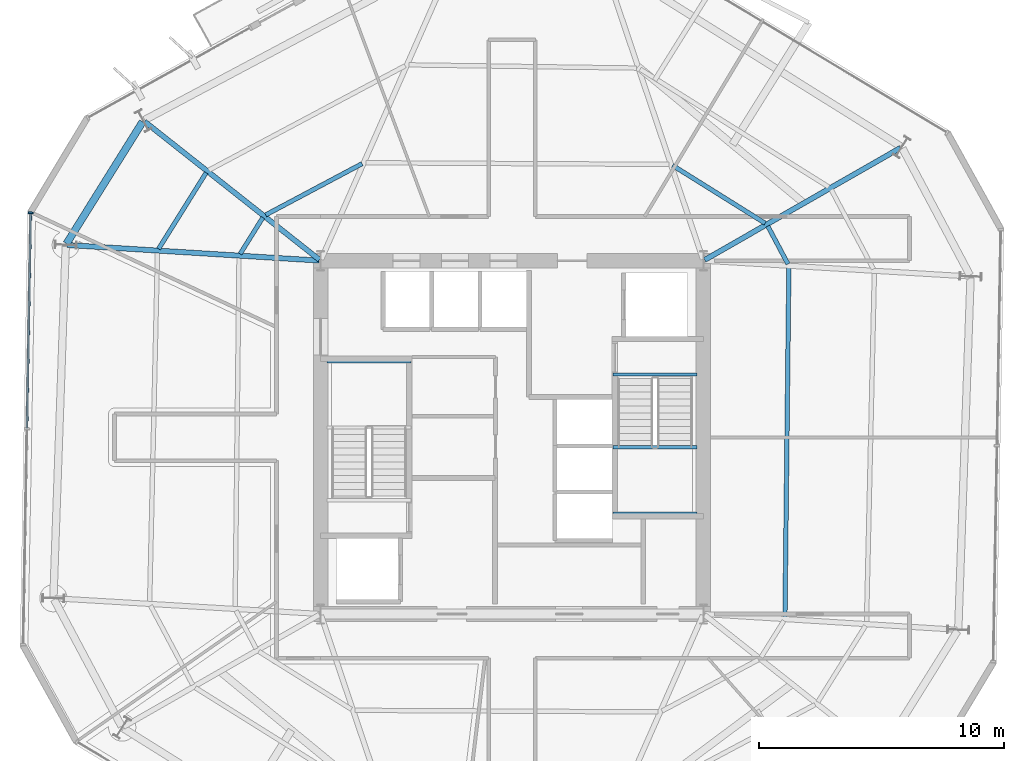
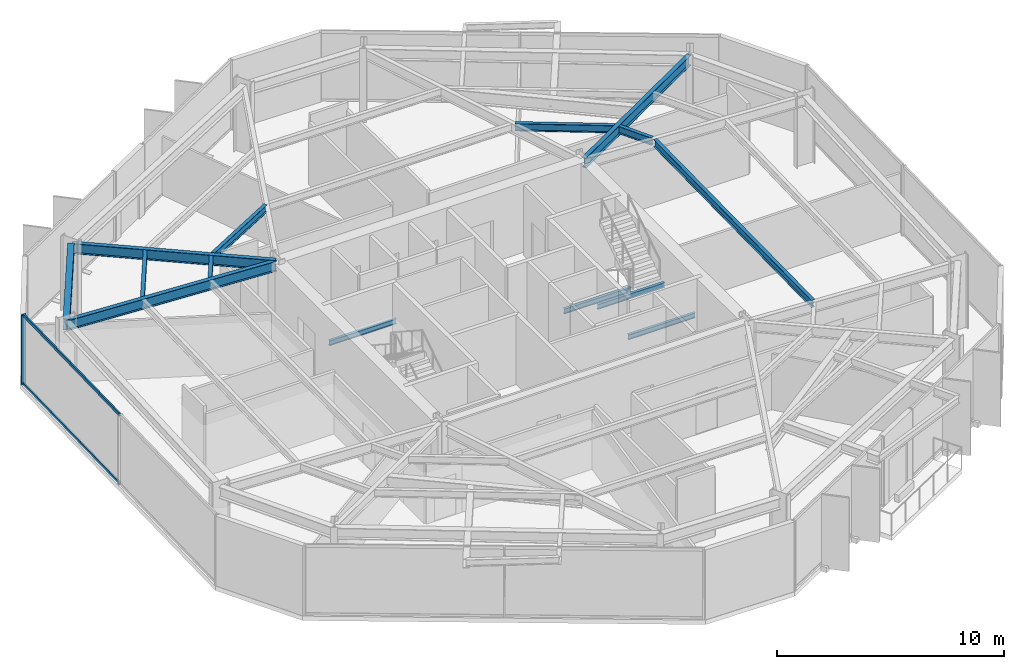
# One storey, part 3 of 11: 14 beams, 3 members, 1 element without a shape of its own.
"""IFC4 building model written with IfcOpenShell, lengths in metres."""

import ifcopenshell
import ifcopenshell.guid

model = None  # the IFC model being written
_history = None  # IfcOwnerHistory: only IFC2X3 demands one
_inside = {}  # id of a spatial element -> (the spatial element, [elements in it])
_under = {}  # id of a project, library or spatial element -> (it, [spatial elements below it])
_declared = {}  # id of a project -> (the project, [libraries it declares])
_typed = {}  # id of a type object -> (the type object, [elements of that type])
_made_of = {}  # id of a material, layer set ... -> (it, [elements and type objects made of it])


def new_model(schema):
    """Start an empty IFC model of exactly this schema.

    Asked for "IFC4X3", IfcOpenShell would pick the latest addendum, in which some entities
    have other attributes; the version numbers below select the first issue.
    IFC2X3 requires an IfcOwnerHistory on every rooted entity: one is made here for all.
    """
    global model, _history
    if schema == "IFC4X3":
        model = ifcopenshell.file(schema_version=(4, 3, 0, 0))
    else:
        model = ifcopenshell.file(schema=schema)
    _inside.clear()
    _under.clear()
    _declared.clear()
    _typed.clear()
    _made_of.clear()
    _history = None
    if model.schema == "IFC2X3":
        org = make("IfcOrganization", Name="unknown")
        user = make(
            "IfcPersonAndOrganization",
            ThePerson=make("IfcPerson", FamilyName="unknown"),
            TheOrganization=org,
        )
        app = make(
            "IfcApplication",
            ApplicationDeveloper=org,
            Version="unknown",
            ApplicationFullName="unknown",
            ApplicationIdentifier="unknown",
        )
        _history = make(
            "IfcOwnerHistory",
            OwningUser=user,
            OwningApplication=app,
            ChangeAction="ADDED",
            CreationDate=0,
        )
    return model


def make(cls, **values):
    """One entity of the class cls with the attributes given. An attribute that is None is left unset."""
    return model.create_entity(
        cls, **{name: value for name, value in values.items() if value is not None}
    )


def rooted(cls, **values):
    """An entity with a GlobalId (a new one), such as an element, a storey or a relation."""
    return make(cls, GlobalId=ifcopenshell.guid.new(), OwnerHistory=_history, **values)


def si_unit(unit_type, name, prefix=None):
    """IfcSIUnit, for example si_unit("LENGTHUNIT", "METRE", prefix="MILLI")."""
    return make("IfcSIUnit", UnitType=unit_type, Prefix=prefix, Name=name)


def assignment(units):
    """IfcUnitAssignment: the units of a project."""
    return None if units is None else make("IfcUnitAssignment", Units=units)


def point(xyz):
    """IfcCartesianPoint."""
    return None if xyz is None else make("IfcCartesianPoint", Coordinates=xyz)


def direction(xyz):
    """IfcDirection."""
    return None if xyz is None else make("IfcDirection", DirectionRatios=xyz)


def frame(location, z_axis=None, x_axis=None):
    """IfcAxis2Placement3D, a coordinate frame: its origin and axes. An axis left out is left unset."""
    return make(
        "IfcAxis2Placement3D",
        Location=point(location),
        Axis=direction(z_axis),
        RefDirection=direction(x_axis),
    )


def frame_2d(location, x_axis=None):
    """IfcAxis2Placement2D, a coordinate frame in the plane: its origin and x axis."""
    return make(
        "IfcAxis2Placement2D", Location=point(location), RefDirection=direction(x_axis)
    )


def origin():
    """The frame at (0, 0, 0) with its axes left unset."""
    return frame((0.0, 0.0, 0.0))


def origin_2d():
    """The frame at (0, 0) in the plane with its x axis left unset."""
    return frame_2d((0.0, 0.0))


def place(relative_to, where):
    """IfcLocalPlacement: puts the frame where relative to a parent placement (None: the world)."""
    return make(
        "IfcLocalPlacement", PlacementRelTo=relative_to, RelativePlacement=where
    )


def context(
    kind, dimensions, precision=None, world=None, true_north=None, identifier=None
):
    """IfcGeometricRepresentationContext, for example the 3D "Model" context."""
    return make(
        "IfcGeometricRepresentationContext",
        ContextIdentifier=identifier,
        ContextType=kind,
        CoordinateSpaceDimension=dimensions,
        Precision=precision,
        WorldCoordinateSystem=world,
        TrueNorth=true_north,
    )


def subcontext(parent, identifier, kind, view, scale=None):
    """IfcGeometricRepresentationSubContext, for example "Body" below "Model"."""
    return make(
        "IfcGeometricRepresentationSubContext",
        ContextIdentifier=identifier,
        ContextType=kind,
        ParentContext=parent,
        TargetScale=scale,
        TargetView=view,
    )


def project(units=None, contexts=None):
    """IfcProject with its units and contexts."""
    return rooted(
        "IfcProject",
        Name="project",
        RepresentationContexts=contexts,
        UnitsInContext=assignment(units),
    )


def spatial(cls, under=None, at=None, **own):
    """A site, building, storey or space (cls), placed at a placement, below another one or the project."""
    s = rooted(cls, ObjectPlacement=at, **own)
    if under is not None:
        _under.setdefault(under.id(), (under, []))[1].append(s)
    return s


def profile(cls, at=None, kind="AREA", **sizes):
    """A parametric profile (cls). Its sizes go by their IFC names, for example OverallWidth=200.0."""
    return make(cls, ProfileType=kind, Position=at, **sizes)


def rectangle(**sizes):
    """IfcRectangleProfileDef."""
    return profile("IfcRectangleProfileDef", **sizes)


def i_section(**sizes):
    """IfcIShapeProfileDef."""
    return profile("IfcIShapeProfileDef", **sizes)


def extrude(swept, where, along, depth):
    """IfcExtrudedAreaSolid: the profile swept, set in the frame where, extruded along a direction by depth."""
    return make(
        "IfcExtrudedAreaSolid",
        SweptArea=swept,
        Position=where,
        ExtrudedDirection=direction(along),
        Depth=depth,
    )


def shape(context_of_items, identifier, shape_type, items):
    """IfcShapeRepresentation: the items that make up one representation, for example the "Body"."""
    return make(
        "IfcShapeRepresentation",
        ContextOfItems=context_of_items,
        RepresentationIdentifier=identifier,
        RepresentationType=shape_type,
        Items=items,
    )


def material(Name=None, Category=None):
    """IfcMaterial."""
    return make("IfcMaterial", Name=Name, Category=Category)


def layer(
    of_material, thickness, ventilated=None, Name=None, Category=None, Priority=None
):
    """IfcMaterialLayer: one layer of a wall or slab, of a material (None: an air gap)."""
    return make(
        "IfcMaterialLayer",
        Material=of_material,
        LayerThickness=thickness,
        IsVentilated=ventilated,
        Name=Name,
        Category=Category,
        Priority=Priority,
    )


def layer_set(layers, Name=None):
    """IfcMaterialLayerSet."""
    return make("IfcMaterialLayerSet", MaterialLayers=layers, LayerSetName=Name)


def material_profile(
    of_material, cross_section, Name=None, Category=None, Priority=None
):
    """IfcMaterialProfile: a cross section and its material."""
    return make(
        "IfcMaterialProfile",
        Name=Name,
        Material=of_material,
        Profile=cross_section,
        Priority=Priority,
        Category=Category,
    )


def profile_set(profiles, Name=None, composite=None):
    """IfcMaterialProfileSet."""
    return make(
        "IfcMaterialProfileSet",
        Name=Name,
        MaterialProfiles=profiles,
        CompositeProfile=composite,
    )


def made_of(thing, what):
    """Note that an element or type object is made of a material, layer set ...; save() writes the relation."""
    if what is not None:
        _made_of.setdefault(what.id(), (what, []))[1].append(thing)
    return thing


def type_object(cls, material=None, **own):
    """A type object (cls), such as IfcWallType, which elements share."""
    return made_of(rooted(cls, **own), material)


def element(
    cls,
    number,
    at=None,
    inside=None,
    cuts=None,
    type_object=None,
    material=None,
    context=None,
    identifier="Body",
    shape_type=None,
    held_by="IfcProductDefinitionShape",
    body=None,
    shapes=None,
    **own,
):
    """One element of the class cls, such as IfcWall. Its Tag is "e" and its number.

    at: its placement. inside: the storey or other place that contains it. cuts: it is an
    opening in that element (IfcRelVoidsElement). A single representation is given by context,
    identifier, shape_type and body (its items); several are given by shapes. held_by: the class
    of the entity that holds the representations. save() writes the other relations.
    """
    e = rooted(cls, Tag="e%d" % number, ObjectPlacement=at, **own)
    if body is not None:
        shapes = [shape(context, identifier, shape_type, body)]
    if shapes is not None:
        e.Representation = make(held_by, Representations=shapes)
    if inside is not None:
        _inside.setdefault(inside.id(), (inside, []))[1].append(e)
    if cuts is not None:
        rooted(
            "IfcRelVoidsElement", RelatingBuildingElement=cuts, RelatedOpeningElement=e
        )
    if type_object is not None:
        _typed.setdefault(type_object.id(), (type_object, []))[1].append(e)
    return made_of(e, material)


def aggregate(whole, parts):
    """IfcRelAggregates: a whole, such as a stair, and the parts it consists of."""
    return rooted("IfcRelAggregates", RelatingObject=whole, RelatedObjects=parts)


def save(model, path):
    """Write the relations noted so far, then the file.

    IfcRelAggregates (storeys below a building ...), IfcRelContainedInSpatialStructure (elements
    in a storey), IfcRelDefinesByType, IfcRelAssociatesMaterial and IfcRelDeclares: one each for
    every whole, place, type object, material and project.
    """
    for whole, parts in _under.values():
        aggregate(whole, parts)
    for where, things in _inside.values():
        rooted(
            "IfcRelContainedInSpatialStructure",
            RelatedElements=things,
            RelatingStructure=where,
        )
    for kind, things in _typed.values():
        rooted("IfcRelDefinesByType", RelatedObjects=things, RelatingType=kind)
    for what, things in _made_of.values():
        rooted("IfcRelAssociatesMaterial", RelatedObjects=things, RelatingMaterial=what)
    for by, libraries in _declared.values():
        rooted("IfcRelDeclares", RelatingContext=by, RelatedDefinitions=libraries)
    model.write(path)


model = new_model("IFC4")

# Units and contexts
model_context = context("Model", 3, precision=1e-05, world=origin(), true_north=direction((0.0, 1.0)))
body_context = subcontext(model_context, "Body", "Model", "MODEL_VIEW")
ifc_project = project(units=[si_unit("LENGTHUNIT", "METRE"), si_unit("AREAUNIT", "SQUARE_METRE"), si_unit("VOLUMEUNIT", "CUBIC_METRE"), si_unit("PLANEANGLEUNIT", "RADIAN"), si_unit("MASSUNIT", "GRAM", prefix="KILO")], contexts=[model_context])

# Site, building, storey
site_placement = place(None, origin())
site = spatial("IfcSite", under=ifc_project, at=site_placement, CompositionType="ELEMENT")
building_placement = place(site_placement, origin())
building = spatial("IfcBuilding", under=site, at=building_placement, Name="Kranzbogen Civic Tower", CompositionType="ELEMENT")
storey_placement = place(building_placement, frame((0.0, 0.0, 138.39990234375)))
storey = spatial("IfcBuildingStorey", under=building, at=storey_placement, Name="L33", CompositionType="ELEMENT", Elevation=138.39990234375)

# Curtain wall, members
ifc_material_1 = material(Name="Pale Anodised Aluminium", Category="aluminium")
ifc_layer = layer(ifc_material_1, 0.219970703125, Name="Pale Anodised Aluminium")
ifc_layer_set = layer_set([ifc_layer], Name="Pale Anodised Aluminium")
curtain_wall_type = type_object("IfcCurtainWallType", Name="Zone 2 Stick Curtain Wall System CW-03", PredefinedType="USERDEFINED", material=ifc_layer_set)
curtain_wall_placement = place(storey_placement, origin())
curtain_wall = element("IfcCurtainWall", 1, at=curtain_wall_placement, inside=storey, type_object=curtain_wall_type, Name="L33 curtain wall CW-L33-F3", ObjectType="STICK CURTAIN WALL", PredefinedType="USERDEFINED")
ifc_material_profile_1 = material_profile(ifc_material_1, rectangle(XDim=0.074951171875, YDim=0.219970703125, at=origin_2d()), Name="ALU-M 75x220")
ifc_profile_set_1 = profile_set([ifc_material_profile_1], Name="Pale Anodised Aluminium")
member_type_1 = type_object("IfcMemberType", Name="Curtain Wall Mullion ALU-M 75x220", PredefinedType="MULLION", material=ifc_profile_set_1)
member_1_placement = place(storey_placement, frame((5.384521484375, 34.14794921875, 0.0), z_axis=(0.0, 0.0, 1.0), x_axis=(-0.017431971008, -0.999848051649, 0.0)))
member_1 = element("IfcMember", 2, at=member_1_placement, type_object=member_type_1, Name="CW-03 mullion 1", PredefinedType="MULLION", context=body_context, shape_type="SweptSolid", body=[
    extrude(rectangle(XDim=0.074951171875, YDim=0.219970703125, at=origin_2d()), origin(), (0.0, 0.0, 1.0), 3.760009765625),
])
ifc_material_profile_2 = material_profile(ifc_material_1, rectangle(XDim=0.074951171875, YDim=0.1650390625, at=origin_2d()), Name="ALU-T 75x165")
ifc_profile_set_2 = profile_set([ifc_material_profile_2], Name="Pale Anodised Aluminium")
member_type_2 = type_object("IfcMemberType", Name="Curtain Wall Transom ALU-T 75x165", PredefinedType="USERDEFINED", material=ifc_profile_set_2)
member_2_placement = place(storey_placement, frame((5.384033203125, 34.117919921875, 0.030029296875), z_axis=(-0.017450080558, -0.999847735752, 0.0), x_axis=(0.999847735752, -0.017450080558, 0.0)))
member_2 = element("IfcMember", 3, at=member_2_placement, type_object=member_type_2, Name="CW-03 transom 1.1", ObjectType="TRANSOM", PredefinedType="USERDEFINED", context=body_context, shape_type="SweptSolid", body=[
    extrude(rectangle(XDim=0.074951171875, YDim=0.1650390625, at=origin_2d()), origin(), (0.0, 0.0, 1.0), 8.744140625),
])
member_3_placement = place(storey_placement, frame((5.384033203125, 34.117919921875, 3.72998046875), z_axis=(-0.017450080558, -0.999847735752, 0.0), x_axis=(0.999847735752, -0.017450080558, 0.0)))
member_3 = element("IfcMember", 4, at=member_3_placement, type_object=member_type_2, Name="CW-03 transom 1.2", ObjectType="TRANSOM", PredefinedType="USERDEFINED", context=body_context, shape_type="SweptSolid", body=[
    extrude(rectangle(XDim=0.074951171875, YDim=0.1650390625, at=origin_2d()), origin(), (0.0, 0.0, 1.0), 8.744140625),
])
aggregate(curtain_wall, [member_1, member_2, member_3])

# Beams
ifc_material_2 = material(Name="Steel S355", Category="steel")
ifc_material_profile_3 = material_profile(ifc_material_2, i_section(OverallWidth=0.300048828125, OverallDepth=0.60009765625, WebThickness=0.015380859375, FlangeThickness=0.030029296875, at=origin_2d()), Name="HEB 600")
ifc_profile_set_3 = profile_set([ifc_material_profile_3], Name="Steel S355")
beam_type_1 = type_object("IfcBeamType", Name="Perimeter Tube Spandrel Beam HEB 600", PredefinedType="SPANDREL", material=ifc_profile_set_3)
beam_1_placement = place(storey_placement, frame((9.945068359375, 37.85693359375, 3.460205078125), z_axis=(-0.529863902903, -0.848082687242, 0.0), x_axis=(0.848082687242, -0.529863902903, 0.0)))
element("IfcBeam", 5, at=beam_1_placement, inside=storey, type_object=beam_type_1, Name="L33 perimeter spandrel beam 11", PredefinedType="SPANDREL", context=body_context, shape_type="SweptSolid", body=[
    extrude(i_section(OverallWidth=0.300048828125, OverallDepth=0.60009765625, WebThickness=0.015380859375, FlangeThickness=0.030029296875, at=origin_2d()), origin(), (0.0, 0.0, 1.0), 5.850830078125),
])
ifc_material_profile_4 = material_profile(ifc_material_2, i_section(OverallWidth=0.2099609375, OverallDepth=0.550048828125, WebThickness=0.010986328125, FlangeThickness=0.01708984375, at=origin_2d()), Name="IPE 550")
ifc_profile_set_4 = profile_set([ifc_material_profile_4], Name="Steel S355")
beam_type_2 = type_object("IfcBeamType", Name="Radial Tower Floor Girder IPE 550", PredefinedType="BEAM", material=ifc_profile_set_4)
beam_2_placement = place(storey_placement, frame((40.833984375, 36.799072265625, 3.485107421875), z_axis=(-0.867868812182, -0.496793442833, 0.0), x_axis=(0.496793442833, -0.867868812182, 0.0)))
element("IfcBeam", 6, at=beam_2_placement, inside=storey, type_object=beam_type_2, Name="L33 radial floor girder 08", PredefinedType="BEAM", context=body_context, shape_type="SweptSolid", body=[
    extrude(i_section(OverallWidth=0.2099609375, OverallDepth=0.550048828125, WebThickness=0.010986328125, FlangeThickness=0.01708984375, at=origin_2d()), origin(), (0.0, 0.0, 1.0), 9.197265625),
])
beam_3_placement = place(storey_placement, frame((10.02392578125, 37.87109375, 3.485107421875), z_axis=(0.78457455683, -0.620034486763, 0.0), x_axis=(0.620034486763, 0.78457455683, 0.0)))
element("IfcBeam", 7, at=beam_3_placement, inside=storey, type_object=beam_type_2, Name="L33 radial floor girder 11", PredefinedType="BEAM", context=body_context, shape_type="SweptSolid", body=[
    extrude(i_section(OverallWidth=0.2099609375, OverallDepth=0.550048828125, WebThickness=0.010986328125, FlangeThickness=0.01708984375, at=origin_2d()), origin(), (0.0, 0.0, 1.0), 9.086669921875),
])
beam_4_placement = place(storey_placement, frame((6.873046875, 32.840087890625, 3.485107421875), z_axis=(0.998086872961, -0.061827130147, 0.0), x_axis=(0.061827130147, 0.998086872961, 0.0)))
element("IfcBeam", 8, at=beam_4_placement, inside=storey, type_object=beam_type_2, Name="L33 radial floor girder 12", PredefinedType="BEAM", context=body_context, shape_type="SweptSolid", body=[
    extrude(i_section(OverallWidth=0.2099609375, OverallDepth=0.550048828125, WebThickness=0.010986328125, FlangeThickness=0.01708984375, at=origin_2d()), origin(), (0.0, 0.0, 1.0), 10.28662109375),
])
ifc_material_profile_5 = material_profile(ifc_material_2, i_section(OverallWidth=0.179931640625, OverallDepth=0.39990234375, WebThickness=0.008544921875, FlangeThickness=0.013427734375, at=origin_2d()), Name="IPE 400")
ifc_profile_set_5 = profile_set([ifc_material_profile_5], Name="Steel S355")
beam_type_3 = type_object("IfcBeamType", Name="Secondary Composite Floor Joist IPE 400", PredefinedType="JOIST", material=ifc_profile_set_5)
beam_5_placement = place(storey_placement, frame((36.125, 17.674072265625, 3.56005859375), z_axis=(0.011160516663, 0.999937719494, 0.0), x_axis=(-0.999937719494, 0.011160516663, 0.0)))
element("IfcBeam", 9, at=beam_5_placement, inside=storey, type_object=beam_type_3, Name="L33 secondary floor joist 2.06", PredefinedType="JOIST", context=body_context, shape_type="SweptSolid", body=[
    extrude(i_section(OverallWidth=0.179931640625, OverallDepth=0.39990234375, WebThickness=0.008544921875, FlangeThickness=0.013427734375, at=origin_2d()), origin(), (0.0, 0.0, 1.0), 14.240966796875),
])
beam_6_placement = place(storey_placement, frame((36.2470703125, 32.06494140625, 3.56005859375), z_axis=(-0.46943723363, 0.882965845139, 0.0), x_axis=(-0.882965845139, -0.46943723363, 0.0)))
element("IfcBeam", 10, at=beam_6_placement, inside=storey, type_object=beam_type_3, Name="L33 secondary floor joist 2.07", PredefinedType="JOIST", context=body_context, shape_type="SweptSolid", body=[
    extrude(i_section(OverallWidth=0.179931640625, OverallDepth=0.39990234375, WebThickness=0.008544921875, FlangeThickness=0.013427734375, at=origin_2d()), origin(), (0.0, 0.0, 1.0), 1.7509765625),
])
beam_7_placement = place(storey_placement, frame((35.320068359375, 33.72412109375, 3.56005859375), z_axis=(-0.848093834398, 0.529846060716, 0.0), x_axis=(-0.529846060716, -0.848093834398, 0.0)))
element("IfcBeam", 11, at=beam_7_placement, inside=storey, type_object=beam_type_3, Name="L33 secondary floor joist 2.08", PredefinedType="JOIST", context=body_context, shape_type="SweptSolid", body=[
    extrude(i_section(OverallWidth=0.179931640625, OverallDepth=0.39990234375, WebThickness=0.008544921875, FlangeThickness=0.013427734375, at=origin_2d()), origin(), (0.0, 0.0, 1.0), 4.4501953125),
])
beam_8_placement = place(storey_placement, frame((18.888916015625, 36.153076171875, 3.56005859375), z_axis=(-0.882991399158, -0.469389165844, 0.0), x_axis=(0.469389165844, -0.882991399158, 0.0)))
element("IfcBeam", 12, at=beam_8_placement, inside=storey, type_object=beam_type_3, Name="L33 secondary floor joist 2.10", PredefinedType="JOIST", context=body_context, shape_type="SweptSolid", body=[
    extrude(i_section(OverallWidth=0.179931640625, OverallDepth=0.39990234375, WebThickness=0.008544921875, FlangeThickness=0.013427734375, at=origin_2d()), origin(), (0.0, 0.0, 1.0), 4.45068359375),
])
beam_9_placement = place(storey_placement, frame((12.534912109375, 35.784912109375, 3.56005859375), z_axis=(-0.529867065107, -0.848080711557, 0.0), x_axis=(0.848080711557, -0.529867065107, 0.0)))
element("IfcBeam", 13, at=beam_9_placement, inside=storey, type_object=beam_type_3, Name="L33 secondary floor joist 1.11", PredefinedType="JOIST", context=body_context, shape_type="SweptSolid", body=[
    extrude(i_section(OverallWidth=0.179931640625, OverallDepth=0.39990234375, WebThickness=0.008544921875, FlangeThickness=0.013427734375, at=origin_2d()), origin(), (0.0, 0.0, 1.0), 3.6611328125),
])
beam_10_placement = place(storey_placement, frame((14.845947265625, 33.958984375, 3.56005859375), z_axis=(-0.529572623603, -0.84826460278, 0.0), x_axis=(0.84826460278, -0.529572623603, 0.0)))
element("IfcBeam", 14, at=beam_10_placement, inside=storey, type_object=beam_type_3, Name="L33 secondary floor joist 2.11", PredefinedType="JOIST", context=body_context, shape_type="SweptSolid", body=[
    extrude(i_section(OverallWidth=0.179931640625, OverallDepth=0.39990234375, WebThickness=0.008544921875, FlangeThickness=0.013427734375, at=origin_2d()), origin(), (0.0, 0.0, 1.0), 1.75048828125),
])
ifc_material_profile_6 = material_profile(ifc_material_2, i_section(OverallWidth=0.135009765625, OverallDepth=0.27001953125, WebThickness=0.006591796875, FlangeThickness=0.01025390625, at=origin_2d()), Name="IPE 270")
ifc_profile_set_6 = profile_set([ifc_material_profile_6], Name="Steel S355")
beam_type_4 = type_object("IfcBeamType", Name="Stair Landing Support Beam IPE 270", PredefinedType="JOIST", material=ifc_profile_set_6)
for number, where, z_axis, x_axis, name in (
    (15, (20.8798828125, 28.10009765625, 1.6650390625), (-1.0, 0.0, 0.0), (0.0, -1.0, 0.0), "L33 ST-T1 landing support beam 1.2"),
    (16, (29.1201171875, 27.56005859375, -0.375), (1.0, 0.0, 0.0), (0.0, 1.0, 0.0), "L33 ST-T2 stair floor header beam"),
    (17, (29.1201171875, 24.60009765625, 1.6650390625), (1.0, 0.0, 0.0), (0.0, 1.0, 0.0), "L33 ST-T2 landing support beam 1.1"),
    (18, (29.1201171875, 21.89990234375, 1.6650390625), (1.0, 0.0, 0.0), (0.0, 1.0, 0.0), "L33 ST-T2 landing support beam 1.2"),
):
    element("IfcBeam", number, at=place(storey_placement, frame(where, z_axis=z_axis, x_axis=x_axis)), inside=storey, type_object=beam_type_4, Name=name, PredefinedType="JOIST", context=body_context, shape_type="SweptSolid", body=[
        extrude(i_section(OverallWidth=0.135009765625, OverallDepth=0.27001953125, WebThickness=0.006591796875, FlangeThickness=0.01025390625, at=origin_2d()), origin(), (0.0, 0.0, 1.0), 3.409912109375),
    ])

save(model, "model.ifc")
